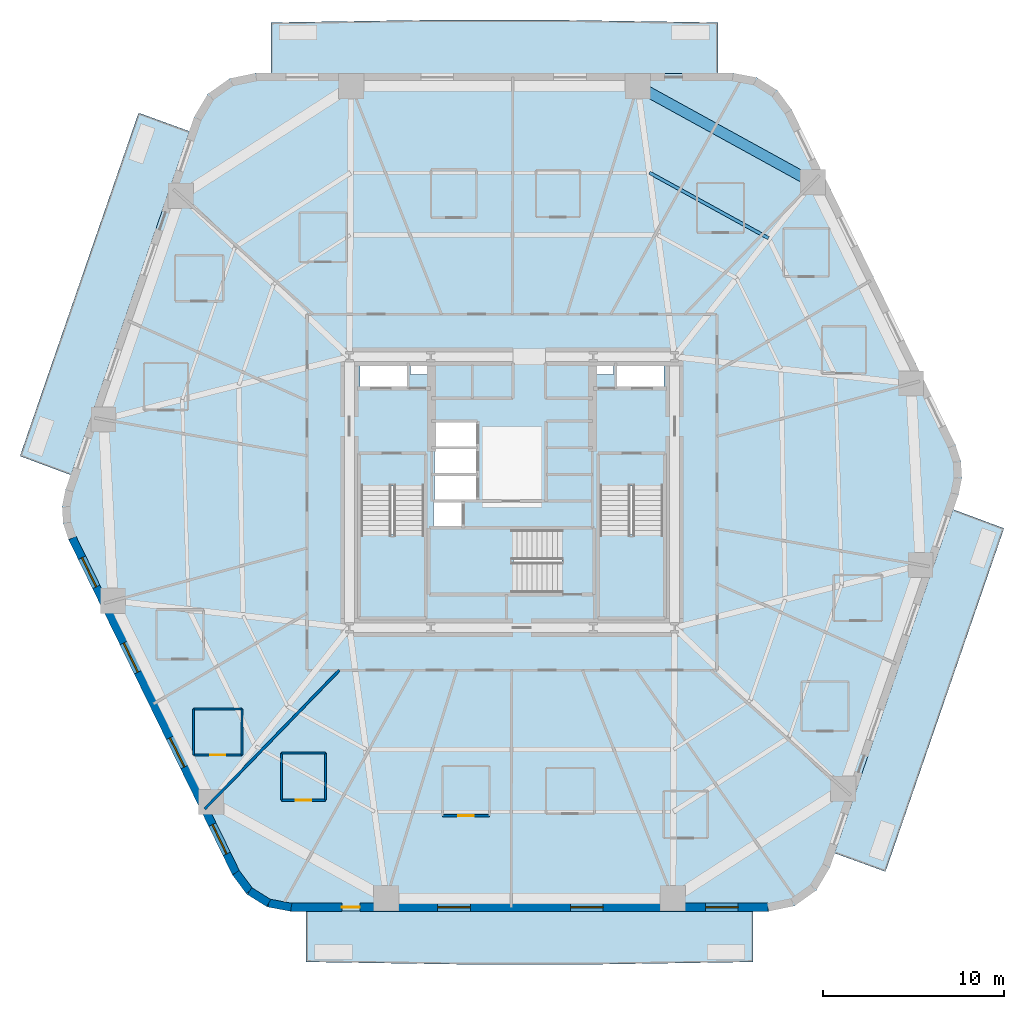
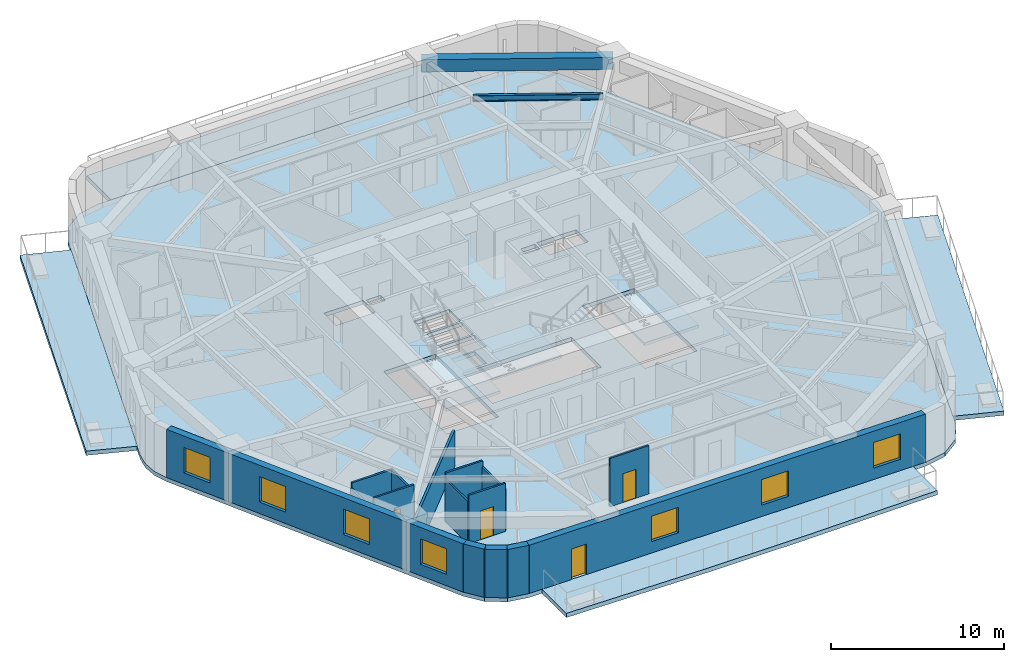
# One storey, part 2 of 11: 15 walls, 8 slabs, 7 windows, 4 doors, 2 beams, 11 openings, 3 elements without a shape of their own.
"""IFC4 building model written with IfcOpenShell, lengths in metres."""

from ifc_helpers import new_model, si_unit, direction, frame, frame_2d, origin, origin_2d, place, context, subcontext, project, spatial, polyline, rectangle, i_section, outline, extrude, material, layer, layer_set, material_profile, profile_set, type_object, element, fill, aggregate, save


model = new_model("IFC4")

# Units and contexts
model_context = context("Model", 3, precision=1e-05, world=origin(), true_north=direction((0.0, 1.0)))
body_context = subcontext(model_context, "Body", "Model", "MODEL_VIEW")
ifc_project = project(units=[si_unit("LENGTHUNIT", "METRE"), si_unit("AREAUNIT", "SQUARE_METRE"), si_unit("VOLUMEUNIT", "CUBIC_METRE"), si_unit("PLANEANGLEUNIT", "RADIAN"), si_unit("MASSUNIT", "GRAM", prefix="KILO")], contexts=[model_context])

# Site, building, storey
site_placement = place(None, origin())
site = spatial("IfcSite", under=ifc_project, at=site_placement, CompositionType="ELEMENT")
building_placement = place(site_placement, origin())
building = spatial("IfcBuilding", under=site, at=building_placement, Name="Kilnhurst Terrace Hotel", CompositionType="ELEMENT")
storey_placement = place(building_placement, frame((0.0, 0.0, 37.89990234375)))
storey = spatial("IfcBuildingStorey", under=building, at=storey_placement, Name="L07", CompositionType="ELEMENT", Elevation=37.89990234375)

# Beams
ifc_material_1 = material(Name="Concrete C50/60", Category="concrete")
ifc_material_profile_1 = material_profile(ifc_material_1, rectangle(XDim=0.60009765625, YDim=0.85009765625, at=origin_2d()), Name="RC600X850")
ifc_profile_set_1 = profile_set([ifc_material_profile_1], Name="Concrete C50/60")
beam_type_1 = type_object("IfcBeamType", Name="BM-SPN-600X850", PredefinedType="SPANDREL", material=ifc_profile_set_1)
beam_1_placement = place(storey_placement, frame((16.64306640625, 17.152099609375, 2.97509765625), z_axis=(-0.876235488803, 0.481883147829, 0.0), x_axis=(-0.481883147829, -0.876235488803, 0.0)))
element("IfcBeam", 1, at=beam_1_placement, inside=storey, type_object=beam_type_1, Name="L07 Perimeter Spandrel Beam 6", PredefinedType="SPANDREL", context=body_context, shape_type="SweptSolid", body=[
    extrude(rectangle(XDim=0.60009765625, YDim=0.85009765625, at=origin_2d()), origin(), (0.0, 0.0, 1.0), 11.056396484375),
])
ifc_material_2 = material(Name="Steel ASTM A992 Grade 50", Category="steel")
ifc_material_profile_2 = material_profile(ifc_material_2, i_section(OverallWidth=0.180908203125, OverallDepth=0.417236328125, WebThickness=0.010986328125, FlangeThickness=0.018310546875, at=origin_2d()), Name="W16X57")
ifc_profile_set_2 = profile_set([ifc_material_profile_2], Name="Steel ASTM A992 Grade 50")
beam_type_2 = type_object("IfcBeamType", Name="JST-STL-W16X57", PredefinedType="JOIST", material=ifc_profile_set_2)
beam_2_placement = place(storey_placement, frame((14.197265625, 14.0634765625, 3.191162109375), z_axis=(-0.876246073632, 0.481863900334, 0.0), x_axis=(-0.481863900334, -0.876246073632, 0.0)))
element("IfcBeam", 2, at=beam_2_placement, inside=storey, type_object=beam_type_2, Name="L07 Secondary Floor Steel Joist OUT.6", PredefinedType="JOIST", context=body_context, shape_type="SweptSolid", body=[
    extrude(i_section(OverallWidth=0.180908203125, OverallDepth=0.417236328125, WebThickness=0.010986328125, FlangeThickness=0.018310546875, at=origin_2d()), origin(), (0.0, 0.0, 1.0), 7.518310546875),
])

# Slabs
ifc_layer_1 = layer(ifc_material_1, 0.300048828125, Name="Concrete C50/60")
ifc_layer_set_1 = layer_set([ifc_layer_1], Name="Concrete C50/60")
slab_type_1 = type_object("IfcSlabType", Name="SLB-BAL-300", PredefinedType="FLOOR", material=ifc_layer_set_1)
slab_1_placement = place(storey_placement, frame((0.0, 0.0, -0.2998046875)))
element("IfcSlab", 3, at=slab_1_placement, inside=storey, type_object=slab_type_1, Name="L07 Cantilevered Planted Terrace Slab BAL-L1A", PredefinedType="FLOOR", context=body_context, shape_type="SweptSolid", body=[
    extrude(outline(polyline([(4.229248046875, -26.139892578125), (-2.279541015625, -26.139892578125), (-11.39208984375, -26.0), (-11.39208984375, -23.179931640625), (13.341552734375, -23.179931640625), (13.341552734375, -26.0), (4.229248046875, -26.139892578125)])), origin(), (0.0, 0.0, 1.0), 0.2998046875),
])
slab_2_placement = place(storey_placement, frame((0.0, 0.0, -0.2998046875)))
element("IfcSlab", 4, at=slab_2_placement, inside=storey, type_object=slab_type_1, Name="L07 Cantilevered Planted Terrace Slab BAL-L1B", PredefinedType="FLOOR", context=body_context, shape_type="SweptSolid", body=[
    extrude(outline(polyline([(20.670166015625, -21.0), (17.84912109375, -19.975341796875), (24.410888671875, -0.9501953125), (27.23388671875, -2.0), (23.98046875, -11.4296875), (20.670166015625, -21.0)])), origin(), (0.0, 0.0, 1.0), 0.2998046875),
])
slab_3_placement = place(storey_placement, frame((0.0, 0.0, -0.2998046875)))
element("IfcSlab", 5, at=slab_3_placement, inside=storey, type_object=slab_type_1, Name="L07 Cantilevered Planted Terrace Slab BAL-L2A", PredefinedType="FLOOR", context=body_context, shape_type="SweptSolid", body=[
    extrude(outline(polyline([(2.279541015625, 26.139892578125), (11.39208984375, 26.0), (11.39208984375, 23.179931640625), (-13.341552734375, 23.179931640625), (-13.341552734375, 26.0), (-4.229248046875, 26.139892578125), (2.279541015625, 26.139892578125)])), origin(), (0.0, 0.0, 1.0), 0.2998046875),
])
slab_4_placement = place(storey_placement, frame((0.0, 0.0, -0.2998046875)))
element("IfcSlab", 6, at=slab_4_placement, inside=storey, type_object=slab_type_1, Name="L07 Cantilevered Planted Terrace Slab BAL-L2B", PredefinedType="FLOOR", context=body_context, shape_type="SweptSolid", body=[
    extrude(outline(polyline([(-20.670166015625, 21.0), (-17.84912109375, 19.975341796875), (-24.410888671875, 0.9501953125), (-27.23388671875, 2.0), (-23.98046875, 11.4296875), (-20.670166015625, 21.0)])), origin(), (0.0, 0.0, 1.0), 0.2998046875),
])
ifc_layer_2 = layer(ifc_material_1, 0.280029296875, Name="Concrete C50/60")
ifc_layer_set_2 = layer_set([ifc_layer_2], Name="Concrete C50/60")
slab_type_2 = type_object("IfcSlabType", Name="SLB-FLR-280", PredefinedType="FLOOR", material=ifc_layer_set_2)
slab_5_placement = place(storey_placement, frame((0.0, 0.0, -0.27978515625)))
element("IfcSlab", 7, at=slab_5_placement, inside=storey, type_object=slab_type_2, Name="L07 Structural Floor Slab", PredefinedType="FLOOR", context=body_context, shape_type="SweptSolid", body=[
    extrude(outline(polyline([(-15.476806640625, -21.18017578125), (-14.680908203125, -22.248046875), (-13.551025390625, -22.95361328125), (-12.241943359375, -23.199951171875), (14.191650390625, -23.199951171875), (15.635986328125, -22.8974609375), (16.837890625, -22.040771484375), (17.5947265625, -20.773681640625), (24.712890625, -0.135986328125), (24.90087890625, 0.7861328125), (24.843505859375, 1.7255859375), (24.54443359375, 2.617919921875), (15.476806640625, 21.18017578125), (14.680908203125, 22.248046875), (13.551025390625, 22.95361328125), (12.241943359375, 23.199951171875), (-14.191650390625, 23.199951171875), (-15.635986328125, 22.8974609375), (-16.837890625, 22.040771484375), (-17.5947265625, 20.773681640625), (-24.712890625, 0.135986328125), (-24.90087890625, -0.7861328125), (-24.843505859375, -1.7255859375), (-24.54443359375, -2.617919921875), (-15.476806640625, -21.18017578125)]), holes=[polyline([(-8.35009765625, 0.35498046875), (-4.8798828125, 0.35498046875), (-4.8798828125, -6.89990234375), (-8.35009765625, -6.89990234375), (-8.35009765625, 0.35498046875)]), polyline([(-2.800048828125, -1.89990234375), (-4.35009765625, -1.89990234375), (-4.35009765625, -0.550048828125), (-2.800048828125, -0.550048828125), (-2.800048828125, -1.89990234375)]), polyline([(-1.949951171875, -0.429931640625), (-4.300048828125, -0.429931640625), (-4.300048828125, 0.89990234375), (-1.949951171875, 0.89990234375), (-1.949951171875, -0.429931640625)]), polyline([(-4.300048828125, 1.050048828125), (-4.300048828125, 2.3798828125), (-1.949951171875, 2.3798828125), (-1.949951171875, 1.050048828125), (-4.300048828125, 1.050048828125)]), polyline([(-8.39990234375, 5.75), (-8.39990234375, 7.14990234375), (-5.800048828125, 7.14990234375), (-5.800048828125, 5.75), (-8.39990234375, 5.75)]), polyline([(-4.659912109375, 6.52001953125), (-5.6201171875, 6.52001953125), (-5.6201171875, 7.080078125), (-4.659912109375, 7.080078125), (-4.659912109375, 6.52001953125)]), polyline([(2.7548828125, -5.550048828125), (-4.5, -5.550048828125), (-4.5, -2.080078125), (2.7548828125, -2.080078125), (2.7548828125, -5.550048828125)]), polyline([(8.35009765625, 0.35498046875), (8.35009765625, -6.89990234375), (4.8798828125, -6.89990234375), (4.8798828125, 0.35498046875), (8.35009765625, 0.35498046875)]), polyline([(-1.949951171875, 2.530029296875), (-4.300048828125, 2.530029296875), (-4.300048828125, 3.860107421875), (-1.949951171875, 3.860107421875), (-1.949951171875, 2.530029296875)]), polyline([(5.800048828125, 5.75), (5.800048828125, 7.14990234375), (8.39990234375, 7.14990234375), (8.39990234375, 5.75), (5.800048828125, 5.75)]), polyline([(4.659912109375, 6.52001953125), (4.659912109375, 7.080078125), (5.6201171875, 7.080078125), (5.6201171875, 6.52001953125), (4.659912109375, 6.52001953125)])]), origin(), (0.0, 0.0, 1.0), 0.27978515625),
])

# Stair, slab
stair_type = type_object("IfcStairType", Name="STR-CORE-1660", PredefinedType="HALF_TURN_STAIR", material=ifc_material_1)
stair_1_placement = place(storey_placement, origin())
stair_1 = element("IfcStair", 8, at=stair_1_placement, inside=storey, type_object=stair_type, Name="L07 ST-1", PredefinedType="HALF_TURN_STAIR")
ifc_layer_3 = layer(ifc_material_1, 0.199951171875, Name="Concrete C50/60")
ifc_layer_set_3 = layer_set([ifc_layer_3], Name="Concrete C50/60")
slab_type_3 = type_object("IfcSlabType", Name="SLB-ST-LND-200", PredefinedType="LANDING", material=ifc_layer_set_3)
slab_6_placement = place(storey_placement, frame((0.0, 0.0, 1.650146484375)))
slab_6 = element("IfcSlab", 9, at=slab_6_placement, type_object=slab_type_3, Name="ST-1 landing 1", PredefinedType="LANDING", context=body_context, shape_type="SweptSolid", body=[
    extrude(outline(polyline([(-8.429931640625, -2.330078125), (-4.800048828125, -2.330078125), (-4.800048828125, -6.97998046875), (-8.429931640625, -6.97998046875), (-8.429931640625, -2.330078125)])), origin(), (0.0, 0.0, 1.0), 0.199951171875),
])
aggregate(stair_1, [slab_6])

stair_2_placement = place(storey_placement, origin())
stair_2 = element("IfcStair", 10, at=stair_2_placement, inside=storey, type_object=stair_type, Name="L07 ST-2", PredefinedType="HALF_TURN_STAIR")
slab_7_placement = place(storey_placement, frame((0.0, 0.0, 1.650146484375)))
slab_7 = element("IfcSlab", 11, at=slab_7_placement, type_object=slab_type_3, Name="ST-2 landing 1", PredefinedType="LANDING", context=body_context, shape_type="SweptSolid", body=[
    extrude(outline(polyline([(4.800048828125, -2.330078125), (8.429931640625, -2.330078125), (8.429931640625, -6.97998046875), (4.800048828125, -6.97998046875), (4.800048828125, -2.330078125)])), origin(), (0.0, 0.0, 1.0), 0.199951171875),
])
aggregate(stair_2, [slab_7])

stair_3_placement = place(storey_placement, origin())
stair_3 = element("IfcStair", 12, at=stair_3_placement, inside=storey, type_object=stair_type, Name="L07 ST-3", PredefinedType="HALF_TURN_STAIR")
slab_8_placement = place(storey_placement, frame((0.0, 0.0, 1.650146484375)))
slab_8 = element("IfcSlab", 13, at=slab_8_placement, type_object=slab_type_3, Name="ST-3 landing 1", PredefinedType="LANDING", context=body_context, shape_type="SweptSolid", body=[
    extrude(outline(polyline([(0.070068359375, -2.0), (0.070068359375, -5.6298828125), (-4.580078125, -5.6298828125), (-4.580078125, -2.0), (0.070068359375, -2.0)])), origin(), (0.0, 0.0, 1.0), 0.199951171875),
])
aggregate(stair_3, [slab_8])

# Walls
ifc_material_3 = material(Name="Precast concrete C40/50", Category="concrete")
ifc_layer_4 = layer(ifc_material_3, 0.449951171875, Name="Precast concrete C40/50")
ifc_layer_set_4 = layer_set([ifc_layer_4], Name="Precast concrete C40/50")
wall_type_1 = type_object("IfcWallType", Name="WL-BRK-450", PredefinedType="SOLIDWALL", material=ifc_layer_set_4)
wall_1_placement = place(storey_placement, frame((-15.28369140625, -21.0625, 0.0), z_axis=(0.0, 0.0, 1.0), x_axis=(0.597595366449, -0.801797841104, 0.0)))
element("IfcWall", 14, at=wall_1_placement, inside=storey, type_object=wall_type_1, Name="L07 Rounded Corner Brick Wall C1.1", PredefinedType="SOLIDWALL", context=body_context, shape_type="SweptSolid", body=[
    extrude(rectangle(XDim=1.2685546875, YDim=0.449951171875, at=frame_2d((0.63427734375, 0.0))), origin(), (0.0, 0.0, 1.0), 3.400146484375),
])
wall_2_placement = place(storey_placement, frame((-14.525634765625, -22.07958984375, 0.0), z_axis=(0.0, 0.0, 1.0), x_axis=(0.848185203596, -0.529699783275, 0.0)))
element("IfcWall", 15, at=wall_2_placement, inside=storey, type_object=wall_type_1, Name="L07 Rounded Corner Brick Wall C1.2", PredefinedType="SOLIDWALL", context=body_context, shape_type="SweptSolid", body=[
    extrude(rectangle(XDim=1.247314453125, YDim=0.449951171875, at=frame_2d((0.62353515625, 0.0))), origin(), (0.0, 0.0, 1.0), 3.400146484375),
])
wall_3_placement = place(storey_placement, frame((-13.4677734375, -22.740234375, 0.0), z_axis=(0.0, 0.0, 1.0), x_axis=(0.982717174228, -0.185113358451, 0.0)))
element("IfcWall", 16, at=wall_3_placement, inside=storey, type_object=wall_type_1, Name="L07 Rounded Corner Brick Wall C1.3", PredefinedType="SOLIDWALL", context=body_context, shape_type="SweptSolid", body=[
    extrude(rectangle(XDim=1.268798828125, YDim=0.449951171875, at=frame_2d((0.63427734375, 0.0))), origin(), (0.0, 0.0, 1.0), 3.400146484375),
])

# Wall, openings, door, windows
wall_4_placement = place(storey_placement, frame((-12.220947265625, -22.97509765625, 0.0), z_axis=(0.0, 0.0, 1.0), x_axis=(1.0, 0.0, 0.0)))
wall_4 = element("IfcWall", 17, at=wall_4_placement, inside=storey, type_object=wall_type_1, Name="L07 Exterior Brick Facade Wall F1", PredefinedType="SOLIDWALL", context=body_context, shape_type="SweptSolid", body=[
    extrude(rectangle(XDim=26.38916015625, YDim=0.449951171875, at=frame_2d((13.194580078125, 0.0))), origin(), (0.0, 0.0, 1.0), 3.400146484375),
])
opening_1_placement = place(wall_4_placement, frame((2.799072265625, 0.0, 0.0)))
opening_1 = element("IfcOpeningElement", 18, at=opening_1_placement, cuts=wall_4, Name="Opening BD-1000", PredefinedType="OPENING", context=body_context, shape_type="SweptSolid", body=[
    extrude(rectangle(XDim=1.0, YDim=2.14990234375, at=frame_2d((0.5, 1.074951171875))), frame((0.0, 0.23486328125, 0.0), z_axis=(0.0, -1.0, 0.0), x_axis=(1.0, 0.0, 0.0)), (0.0, 0.0, 1.0), 0.469970703125),
])
opening_2_placement = place(wall_4_placement, frame((8.110107421875, 0.0, 0.800048828125)))
opening_2 = element("IfcOpeningElement", 19, at=opening_2_placement, cuts=wall_4, Name="Opening W-01", PredefinedType="OPENING", context=body_context, shape_type="SweptSolid", body=[
    extrude(rectangle(XDim=1.800048828125, YDim=1.800048828125, at=frame_2d((0.89990234375, 0.89990234375))), frame((0.0, 0.23486328125, 0.0), z_axis=(0.0, -1.0, 0.0), x_axis=(1.0, 0.0, 0.0)), (0.0, 0.0, 1.0), 0.469970703125),
])
opening_3_placement = place(wall_4_placement, frame((15.4599609375, 0.0, 0.800048828125)))
opening_3 = element("IfcOpeningElement", 20, at=opening_3_placement, cuts=wall_4, Name="Opening W-01", PredefinedType="OPENING", context=body_context, shape_type="SweptSolid", body=[
    extrude(rectangle(XDim=1.800048828125, YDim=1.800048828125, at=frame_2d((0.89990234375, 0.89990234375))), frame((0.0, 0.23486328125, 0.0), z_axis=(0.0, -1.0, 0.0), x_axis=(1.0, 0.0, 0.0)), (0.0, 0.0, 1.0), 0.469970703125),
])
opening_4_placement = place(wall_4_placement, frame((22.93798828125, 0.0, 0.800048828125)))
opening_4 = element("IfcOpeningElement", 21, at=opening_4_placement, cuts=wall_4, Name="Opening W-01", PredefinedType="OPENING", context=body_context, shape_type="SweptSolid", body=[
    extrude(rectangle(XDim=1.800048828125, YDim=1.800048828125, at=frame_2d((0.89990234375, 0.89990234375))), frame((0.0, 0.23486328125, 0.0), z_axis=(0.0, -1.0, 0.0), x_axis=(1.0, 0.0, 0.0)), (0.0, 0.0, 1.0), 0.469970703125),
])
ifc_material_4 = material(Name="Thermally Broken Bronze Aluminium Alloy 6063-T6 and Laminated Glass", Category="aluminium")
door_type_1 = type_object("IfcDoorType", Name="DR-EXT-BAL-1000", OperationType="NOTDEFINED", PredefinedType="DOOR", material=ifc_material_4)
door_1_placement = place(opening_1_placement, origin())
door_1 = element("IfcDoor", 22, at=door_1_placement, inside=storey, type_object=door_type_1, Name="L07 Planted Balcony Door BAL-L1A", OperationType="SINGLE_SWING_LEFT", OverallHeight=2.14990234375, OverallWidth=1.0, PredefinedType="DOOR", context=body_context, shape_type="SweptSolid", body=[
    extrude(rectangle(XDim=1.0, YDim=2.14990234375, at=frame_2d((0.5, 1.074951171875))), frame((0.0, 0.02490234375, 0.0), z_axis=(0.0, -1.0, 0.0), x_axis=(1.0, 0.0, 0.0)), (0.0, 0.0, 1.0), 0.050048828125),
])
fill(opening_1, door_1)
ifc_material_5 = material(Name="Thermally Broken Bronze Aluminium Alloy 6063-T6 and Low-E Glass", Category="aluminium")
window_type = type_object("IfcWindowType", Name="WIN-1800X1800", PartitioningType="SINGLE_PANEL", PredefinedType="WINDOW", material=ifc_material_5)
window_1_placement = place(opening_2_placement, origin())
window_1 = element("IfcWindow", 23, at=window_1_placement, inside=storey, type_object=window_type, Name="L07 Deep-Set Masonry Window F1.1", OverallHeight=1.800048828125, OverallWidth=1.800048828125, PartitioningType="SINGLE_PANEL", PredefinedType="WINDOW", context=body_context, shape_type="SweptSolid", body=[
    extrude(rectangle(XDim=1.800048828125, YDim=1.800048828125, at=frame_2d((0.89990234375, 0.89990234375))), frame((0.0, 0.030029296875, 0.0), z_axis=(0.0, -1.0, 0.0), x_axis=(1.0, 0.0, 0.0)), (0.0, 0.0, 1.0), 0.06005859375),
])
fill(opening_2, window_1)
window_2_placement = place(opening_3_placement, origin())
window_2 = element("IfcWindow", 24, at=window_2_placement, inside=storey, type_object=window_type, Name="L07 Deep-Set Masonry Window F1.2", OverallHeight=1.800048828125, OverallWidth=1.800048828125, PartitioningType="SINGLE_PANEL", PredefinedType="WINDOW", context=body_context, shape_type="SweptSolid", body=[
    extrude(rectangle(XDim=1.800048828125, YDim=1.800048828125, at=frame_2d((0.89990234375, 0.89990234375))), frame((0.0, 0.030029296875, 0.0), z_axis=(0.0, -1.0, 0.0), x_axis=(1.0, 0.0, 0.0)), (0.0, 0.0, 1.0), 0.06005859375),
])
fill(opening_3, window_2)
window_3_placement = place(opening_4_placement, origin())
window_3 = element("IfcWindow", 25, at=window_3_placement, inside=storey, type_object=window_type, Name="L07 Deep-Set Masonry Window F1.3", OverallHeight=1.800048828125, OverallWidth=1.800048828125, PartitioningType="SINGLE_PANEL", PredefinedType="WINDOW", context=body_context, shape_type="SweptSolid", body=[
    extrude(rectangle(XDim=1.800048828125, YDim=1.800048828125, at=frame_2d((0.89990234375, 0.89990234375))), frame((0.0, 0.030029296875, 0.0), z_axis=(0.0, -1.0, 0.0), x_axis=(1.0, 0.0, 0.0)), (0.0, 0.0, 1.0), 0.06005859375),
])
fill(opening_4, window_3)

# Wall, openings, windows
wall_5_placement = place(storey_placement, frame((-24.335693359375, -2.532470703125, 0.0), z_axis=(0.0, 0.0, 1.0), x_axis=(0.438931326393, -0.898520612291, 0.0)))
wall_5 = element("IfcWall", 26, at=wall_5_placement, inside=storey, type_object=wall_type_1, Name="L07 Exterior Brick Facade Wall F6", PredefinedType="SOLIDWALL", context=body_context, shape_type="SweptSolid", body=[
    extrude(rectangle(XDim=20.622802734375, YDim=0.449951171875, at=frame_2d((10.3115234375, 0.0))), origin(), (0.0, 0.0, 1.0), 3.400146484375),
])
opening_5_placement = place(wall_5_placement, frame((1.214111328125, 0.0, 0.800048828125)))
opening_5 = element("IfcOpeningElement", 27, at=opening_5_placement, cuts=wall_5, Name="Opening W-01", PredefinedType="OPENING", context=body_context, shape_type="SweptSolid", body=[
    extrude(rectangle(XDim=1.800048828125, YDim=1.800048828125, at=frame_2d((0.89990234375, 0.89990234375))), frame((0.0, 0.23486328125, 0.0), z_axis=(0.0, -1.0, 0.0), x_axis=(1.0, 0.0, 0.0)), (0.0, 0.0, 1.0), 0.469970703125),
])
opening_6_placement = place(wall_5_placement, frame((6.469970703125, 0.0, 0.800048828125)))
opening_6 = element("IfcOpeningElement", 28, at=opening_6_placement, cuts=wall_5, Name="Opening W-01", PredefinedType="OPENING", context=body_context, shape_type="SweptSolid", body=[
    extrude(rectangle(XDim=1.800048828125, YDim=1.800048828125, at=frame_2d((0.89990234375, 0.89990234375))), frame((0.0, 0.23486328125, 0.0), z_axis=(0.0, -1.0, 0.0), x_axis=(1.0, 0.0, 0.0)), (0.0, 0.0, 1.0), 0.469970703125),
])
opening_7_placement = place(wall_5_placement, frame((12.31103515625, 0.0, 0.800048828125)))
opening_7 = element("IfcOpeningElement", 29, at=opening_7_placement, cuts=wall_5, Name="Opening W-01", PredefinedType="OPENING", context=body_context, shape_type="SweptSolid", body=[
    extrude(rectangle(XDim=1.800048828125, YDim=1.800048828125, at=frame_2d((0.89990234375, 0.89990234375))), frame((0.0, 0.23486328125, 0.0), z_axis=(0.0, -1.0, 0.0), x_axis=(1.0, 0.0, 0.0)), (0.0, 0.0, 1.0), 0.469970703125),
])
opening_8_placement = place(wall_5_placement, frame((17.659912109375, 0.0, 0.800048828125)))
opening_8 = element("IfcOpeningElement", 30, at=opening_8_placement, cuts=wall_5, Name="Opening W-01", PredefinedType="OPENING", context=body_context, shape_type="SweptSolid", body=[
    extrude(rectangle(XDim=1.800048828125, YDim=1.800048828125, at=frame_2d((0.89990234375, 0.89990234375))), frame((0.0, 0.23486328125, 0.0), z_axis=(0.0, -1.0, 0.0), x_axis=(1.0, 0.0, 0.0)), (0.0, 0.0, 1.0), 0.469970703125),
])
window_4_placement = place(opening_5_placement, origin())
window_4 = element("IfcWindow", 31, at=window_4_placement, inside=storey, type_object=window_type, Name="L07 Deep-Set Masonry Window F6.1", OverallHeight=1.800048828125, OverallWidth=1.800048828125, PartitioningType="SINGLE_PANEL", PredefinedType="WINDOW", context=body_context, shape_type="SweptSolid", body=[
    extrude(rectangle(XDim=1.800048828125, YDim=1.800048828125, at=frame_2d((0.89990234375, 0.89990234375))), frame((0.0, 0.030029296875, 0.0), z_axis=(0.0, -1.0, 0.0), x_axis=(1.0, 0.0, 0.0)), (0.0, 0.0, 1.0), 0.06005859375),
])
fill(opening_5, window_4)
window_5_placement = place(opening_6_placement, origin())
window_5 = element("IfcWindow", 32, at=window_5_placement, inside=storey, type_object=window_type, Name="L07 Deep-Set Masonry Window F6.2", OverallHeight=1.800048828125, OverallWidth=1.800048828125, PartitioningType="SINGLE_PANEL", PredefinedType="WINDOW", context=body_context, shape_type="SweptSolid", body=[
    extrude(rectangle(XDim=1.800048828125, YDim=1.800048828125, at=frame_2d((0.89990234375, 0.89990234375))), frame((0.0, 0.030029296875, 0.0), z_axis=(0.0, -1.0, 0.0), x_axis=(1.0, 0.0, 0.0)), (0.0, 0.0, 1.0), 0.06005859375),
])
fill(opening_6, window_5)
window_6_placement = place(opening_7_placement, origin())
window_6 = element("IfcWindow", 33, at=window_6_placement, inside=storey, type_object=window_type, Name="L07 Deep-Set Masonry Window F6.3", OverallHeight=1.800048828125, OverallWidth=1.800048828125, PartitioningType="SINGLE_PANEL", PredefinedType="WINDOW", context=body_context, shape_type="SweptSolid", body=[
    extrude(rectangle(XDim=1.800048828125, YDim=1.800048828125, at=frame_2d((0.89990234375, 0.89990234375))), frame((0.0, 0.030029296875, 0.0), z_axis=(0.0, -1.0, 0.0), x_axis=(1.0, 0.0, 0.0)), (0.0, 0.0, 1.0), 0.06005859375),
])
fill(opening_7, window_6)
window_7_placement = place(opening_8_placement, origin())
window_7 = element("IfcWindow", 34, at=window_7_placement, inside=storey, type_object=window_type, Name="L07 Deep-Set Masonry Window F6.4", OverallHeight=1.800048828125, OverallWidth=1.800048828125, PartitioningType="SINGLE_PANEL", PredefinedType="WINDOW", context=body_context, shape_type="SweptSolid", body=[
    extrude(rectangle(XDim=1.800048828125, YDim=1.800048828125, at=frame_2d((0.89990234375, 0.89990234375))), frame((0.0, 0.030029296875, 0.0), z_axis=(0.0, -1.0, 0.0), x_axis=(1.0, 0.0, 0.0)), (0.0, 0.0, 1.0), 0.06005859375),
])
fill(opening_8, window_7)

# Wall
ifc_material_6 = material(Name="STC-58 Acoustic Twin-Frame Guestroom Demising Partition")
ifc_layer_5 = layer(ifc_material_6, 0.14990234375, Name="STC-58 Acoustic Twin-Frame Guestroom Demising Partition")
ifc_layer_set_5 = layer_set([ifc_layer_5], Name="STC-58 Acoustic Twin-Frame Guestroom Demising Partition")
wall_type_2 = type_object("IfcWallType", Name="WL-DEM-150", PredefinedType="PARTITIONING", material=ifc_layer_set_5)
wall_6_placement = place(storey_placement, frame((-9.5576171875, -9.85009765625, 0.0), z_axis=(0.0, 0.0, 1.0), x_axis=(-0.69638346089, -0.717669893056, 0.0)))
element("IfcWall", 35, at=wall_6_placement, inside=storey, type_object=wall_type_2, Name="L07 Interior Wall WL-L07-DEM-COL08-13-1", PredefinedType="PARTITIONING", context=body_context, shape_type="SweptSolid", body=[
    extrude(rectangle(XDim=10.700927734375, YDim=0.14990234375, at=frame_2d((5.3505859375, 0.0))), origin(), (0.0, 0.0, 1.0), 2.5400390625),
])

# Wall, opening, door
ifc_material_7 = material(Name="120 mm Moisture-Resistant Tile-Backed Bathroom Partition")
ifc_layer_6 = layer(ifc_material_7, 0.1201171875, Name="120 mm Moisture-Resistant Tile-Backed Bathroom Partition")
ifc_layer_set_6 = layer_set([ifc_layer_6], Name="120 mm Moisture-Resistant Tile-Backed Bathroom Partition")
wall_type_3 = type_object("IfcWallType", Name="WL-PART-120", PredefinedType="PARTITIONING", material=ifc_layer_set_6)
wall_7_placement = place(storey_placement, frame((-17.62890625, -14.5458984375, 0.0), z_axis=(0.0, 0.0, 1.0), x_axis=(1.0, 0.0, 0.0)))
wall_7 = element("IfcWall", 36, at=wall_7_placement, inside=storey, type_object=wall_type_3, Name="L07 Interior Wall WL-L07-BTH-12-1", PredefinedType="PARTITIONING", context=body_context, shape_type="SweptSolid", body=[
    extrude(rectangle(XDim=2.679931640625, YDim=0.1201171875, at=frame_2d((1.33984375, 0.0))), origin(), (0.0, 0.0, 1.0), 3.400146484375),
])
opening_9_placement = place(wall_7_placement, frame((0.9150390625, 0.0, 0.0)))
opening_9 = element("IfcOpeningElement", 37, at=opening_9_placement, cuts=wall_7, Name="Opening D-08A", PredefinedType="OPENING", context=body_context, shape_type="SweptSolid", body=[
    extrude(rectangle(XDim=0.85009765625, YDim=2.030029296875, at=frame_2d((0.425048828125, 1.01513671875))), frame((0.0, 0.070068359375, 0.0), z_axis=(0.0, -1.0, 0.0), x_axis=(1.0, 0.0, 0.0)), (0.0, 0.0, 1.0), 0.14013671875),
])
ifc_material_8 = material(Name="Moisture-Resistant Lacquered En-suite Bathroom Door")
door_type_2 = type_object("IfcDoorType", Name="DR-INT-850", OperationType="NOTDEFINED", PredefinedType="DOOR", material=ifc_material_8)
door_2_placement = place(opening_9_placement, origin())
door_2 = element("IfcDoor", 38, at=door_2_placement, inside=storey, type_object=door_type_2, Name="L07 En-suite Bathroom Door 12", OperationType="SINGLE_SWING_LEFT", OverallHeight=2.030029296875, OverallWidth=0.85009765625, PredefinedType="DOOR", context=body_context, shape_type="SweptSolid", body=[
    extrude(rectangle(XDim=0.85009765625, YDim=2.030029296875, at=frame_2d((0.425048828125, 1.01513671875))), frame((0.0, 0.02490234375, 0.0), z_axis=(0.0, -1.0, 0.0), x_axis=(1.0, 0.0, 0.0)), (0.0, 0.0, 1.0), 0.050048828125),
])
fill(opening_9, door_2)

# Walls
wall_8_placement = place(storey_placement, frame((-14.948974609375, -14.5458984375, 0.0), z_axis=(0.0, 0.0, 1.0), x_axis=(0.0, 1.0, 0.0)))
element("IfcWall", 39, at=wall_8_placement, inside=storey, type_object=wall_type_3, Name="L07 Interior Wall WL-L07-BTH-12-2", PredefinedType="PARTITIONING", context=body_context, shape_type="SweptSolid", body=[
    extrude(rectangle(XDim=2.539794921875, YDim=0.1201171875, at=frame_2d((1.27001953125, 0.0))), origin(), (0.0, 0.0, 1.0), 2.926513671875),
])
wall_9_placement = place(storey_placement, frame((-14.948974609375, -12.006103515625, 0.0), z_axis=(0.0, 0.0, 1.0), x_axis=(-1.0, 0.0, 0.0)))
element("IfcWall", 40, at=wall_9_placement, inside=storey, type_object=wall_type_3, Name="L07 Interior Wall WL-L07-BTH-12-3", PredefinedType="PARTITIONING", context=body_context, shape_type="SweptSolid", body=[
    extrude(rectangle(XDim=2.679931640625, YDim=0.1201171875, at=frame_2d((1.33984375, 0.0))), origin(), (0.0, 0.0, 1.0), 2.926513671875),
])
wall_10_placement = place(storey_placement, frame((-17.62890625, -12.006103515625, 0.0), z_axis=(0.0, 0.0, 1.0), x_axis=(0.0, -1.0, 0.0)))
element("IfcWall", 41, at=wall_10_placement, inside=storey, type_object=wall_type_3, Name="L07 Interior Wall WL-L07-BTH-12-4", PredefinedType="PARTITIONING", context=body_context, shape_type="SweptSolid", body=[
    extrude(rectangle(XDim=2.539794921875, YDim=0.1201171875, at=frame_2d((1.27001953125, 0.0))), origin(), (0.0, 0.0, 1.0), 2.5400390625),
])

# Wall, opening, door
wall_11_placement = place(storey_placement, frame((-12.7548828125, -17.0458984375, 0.0), z_axis=(0.0, 0.0, 1.0), x_axis=(1.0, 0.0, 0.0)))
wall_11 = element("IfcWall", 42, at=wall_11_placement, inside=storey, type_object=wall_type_3, Name="L07 Interior Wall WL-L07-BTH-13-1", PredefinedType="PARTITIONING", context=body_context, shape_type="SweptSolid", body=[
    extrude(rectangle(XDim=2.43994140625, YDim=0.1201171875, at=frame_2d((1.219970703125, 0.0))), origin(), (0.0, 0.0, 1.0), 3.400146484375),
])
opening_10_placement = place(wall_11_placement, frame((0.794921875, 0.0, 0.0)))
opening_10 = element("IfcOpeningElement", 43, at=opening_10_placement, cuts=wall_11, Name="Opening D-08A", PredefinedType="OPENING", context=body_context, shape_type="SweptSolid", body=[
    extrude(rectangle(XDim=0.85009765625, YDim=2.030029296875, at=frame_2d((0.425048828125, 1.01513671875))), frame((0.0, 0.070068359375, 0.0), z_axis=(0.0, -1.0, 0.0), x_axis=(1.0, 0.0, 0.0)), (0.0, 0.0, 1.0), 0.14013671875),
])
door_3_placement = place(opening_10_placement, origin())
door_3 = element("IfcDoor", 44, at=door_3_placement, inside=storey, type_object=door_type_2, Name="L07 En-suite Bathroom Door 13", OperationType="SINGLE_SWING_RIGHT", OverallHeight=2.030029296875, OverallWidth=0.85009765625, PredefinedType="DOOR", context=body_context, shape_type="SweptSolid", body=[
    extrude(rectangle(XDim=0.85009765625, YDim=2.030029296875, at=frame_2d((0.425048828125, 1.01513671875))), frame((0.0, 0.02490234375, 0.0), z_axis=(0.0, -1.0, 0.0), x_axis=(1.0, 0.0, 0.0)), (0.0, 0.0, 1.0), 0.050048828125),
])
fill(opening_10, door_3)

# Walls
wall_12_placement = place(storey_placement, frame((-10.31494140625, -17.0458984375, 0.0), z_axis=(0.0, 0.0, 1.0), x_axis=(0.0, 1.0, 0.0)))
element("IfcWall", 45, at=wall_12_placement, inside=storey, type_object=wall_type_3, Name="L07 Interior Wall WL-L07-BTH-13-2", PredefinedType="PARTITIONING", context=body_context, shape_type="SweptSolid", body=[
    extrude(rectangle(XDim=2.60986328125, YDim=0.1201171875, at=frame_2d((1.304931640625, 0.0))), origin(), (0.0, 0.0, 1.0), 2.972412109375),
])
wall_13_placement = place(storey_placement, frame((-10.31494140625, -14.43603515625, 0.0), z_axis=(0.0, 0.0, 1.0), x_axis=(-1.0, 0.0, 0.0)))
element("IfcWall", 46, at=wall_13_placement, inside=storey, type_object=wall_type_3, Name="L07 Interior Wall WL-L07-BTH-13-3", PredefinedType="PARTITIONING", context=body_context, shape_type="SweptSolid", body=[
    extrude(rectangle(XDim=2.43994140625, YDim=0.1201171875, at=frame_2d((1.219970703125, 0.0))), origin(), (0.0, 0.0, 1.0), 3.400146484375),
])
wall_14_placement = place(storey_placement, frame((-12.7548828125, -14.43603515625, 0.0), z_axis=(0.0, 0.0, 1.0), x_axis=(0.0, -1.0, 0.0)))
element("IfcWall", 47, at=wall_14_placement, inside=storey, type_object=wall_type_3, Name="L07 Interior Wall WL-L07-BTH-13-4", PredefinedType="PARTITIONING", context=body_context, shape_type="SweptSolid", body=[
    extrude(rectangle(XDim=2.60986328125, YDim=0.1201171875, at=frame_2d((1.304931640625, 0.0))), origin(), (0.0, 0.0, 1.0), 2.972412109375),
])

# Wall, opening, door
wall_15_placement = place(storey_placement, frame((-3.85107421875, -17.912109375, 0.0), z_axis=(0.0, 0.0, 1.0), x_axis=(1.0, 0.0, 0.0)))
wall_15 = element("IfcWall", 48, at=wall_15_placement, inside=storey, type_object=wall_type_3, Name="L07 Interior Wall WL-L07-BTH-15-1", PredefinedType="PARTITIONING", context=body_context, shape_type="SweptSolid", body=[
    extrude(rectangle(XDim=2.60009765625, YDim=0.1201171875, at=frame_2d((1.300048828125, 0.0))), origin(), (0.0, 0.0, 1.0), 3.400146484375),
])
opening_11_placement = place(wall_15_placement, frame((0.875, 0.0, 0.0)))
opening_11 = element("IfcOpeningElement", 49, at=opening_11_placement, cuts=wall_15, Name="Opening D-08A", PredefinedType="OPENING", context=body_context, shape_type="SweptSolid", body=[
    extrude(rectangle(XDim=0.85009765625, YDim=2.030029296875, at=frame_2d((0.425048828125, 1.01513671875))), frame((0.0, 0.070068359375, 0.0), z_axis=(0.0, -1.0, 0.0), x_axis=(1.0, 0.0, 0.0)), (0.0, 0.0, 1.0), 0.14013671875),
])
door_4_placement = place(opening_11_placement, origin())
door_4 = element("IfcDoor", 50, at=door_4_placement, inside=storey, type_object=door_type_2, Name="L07 En-suite Bathroom Door 15", OperationType="SINGLE_SWING_RIGHT", OverallHeight=2.030029296875, OverallWidth=0.85009765625, PredefinedType="DOOR", context=body_context, shape_type="SweptSolid", body=[
    extrude(rectangle(XDim=0.85009765625, YDim=2.030029296875, at=frame_2d((0.425048828125, 1.01513671875))), frame((0.0, 0.02490234375, 0.0), z_axis=(0.0, -1.0, 0.0), x_axis=(1.0, 0.0, 0.0)), (0.0, 0.0, 1.0), 0.050048828125),
])
fill(opening_11, door_4)

save(model, "model.ifc")
